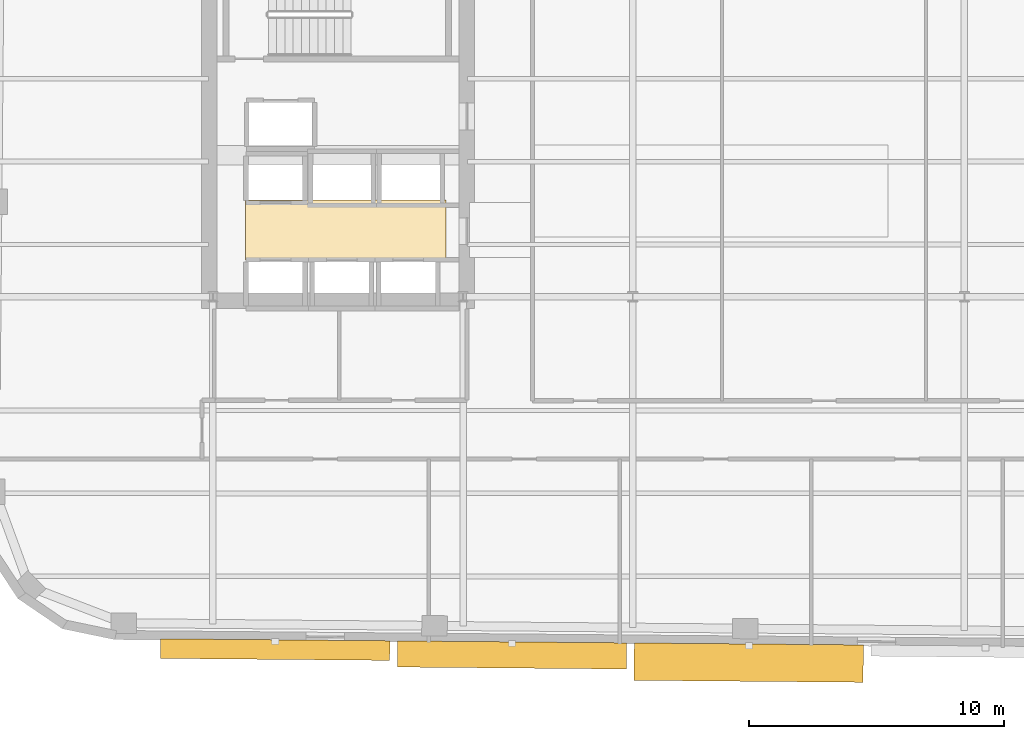
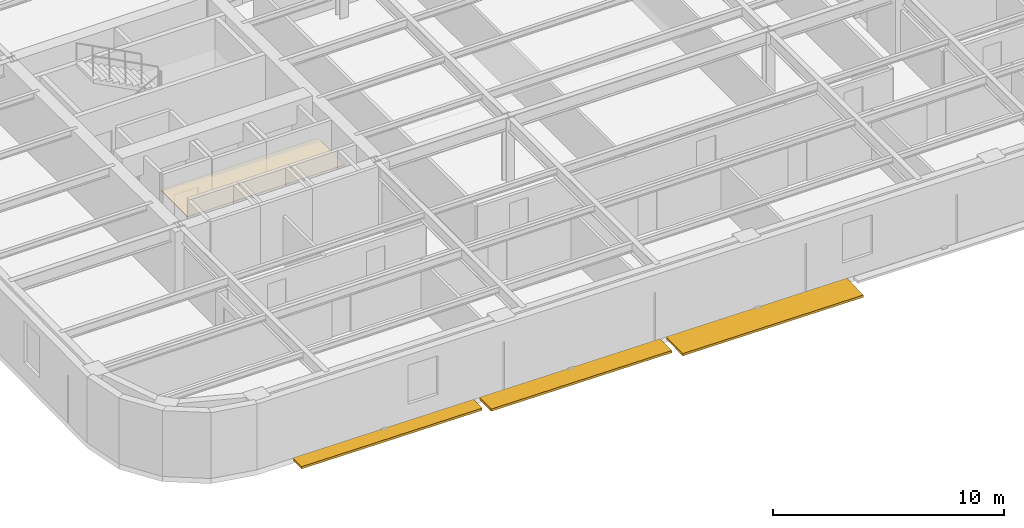
# One storey, part 8 of 11: 3 shading devices, 1 covering.
"""IFC4 building model written with IfcOpenShell, lengths in metres."""

from ifc_helpers import new_model, si_unit, direction, frame, origin, origin_2d, place, context, subcontext, project, spatial, polyline, rectangle, outline, extrude, material, layer, layer_set, type_object, element, save


model = new_model("IFC4")

# Units and contexts
model_context = context("Model", 3, precision=1e-05, world=origin(), true_north=direction((0.0, 1.0)))
body_context = subcontext(model_context, "Body", "Model", "MODEL_VIEW")
ifc_project = project(units=[si_unit("LENGTHUNIT", "METRE"), si_unit("AREAUNIT", "SQUARE_METRE"), si_unit("VOLUMEUNIT", "CUBIC_METRE"), si_unit("PLANEANGLEUNIT", "RADIAN"), si_unit("MASSUNIT", "GRAM", prefix="KILO")], contexts=[model_context])

# Site, building, storey
site_placement = place(None, origin())
site = spatial("IfcSite", under=ifc_project, at=site_placement, CompositionType="ELEMENT")
building_placement = place(site_placement, origin())
building = spatial("IfcBuilding", under=site, at=building_placement, Name="Kolvaren Arena Tower", CompositionType="ELEMENT")
storey_placement = place(building_placement, frame((0.0, 0.0, 195.949951171875)))
storey = spatial("IfcBuildingStorey", under=building, at=storey_placement, Name="L47", CompositionType="ELEMENT", Elevation=195.949951171875)

# Covering
ifc_material_1 = material(Name="Moisture-resistant gypsum ceiling", Category="gypsum")
ifc_layer = layer(ifc_material_1, 0.030029296875)
ifc_layer_set = layer_set([ifc_layer], Name="Moisture-resistant gypsum ceiling")
covering_type = type_object("IfcCoveringType", Name="CEIL-GYP-1", PredefinedType="CEILING", material=ifc_layer_set)
covering_placement = place(storey_placement, frame((0.0, 0.0, 2.52001953125)))
element("IfcCovering", 1, at=covering_placement, inside=storey, type_object=covering_type, Name="Suspended Ceiling (L47)", PredefinedType="CEILING", context=body_context, shape_type="SweptSolid", body=[
    extrude(outline(polyline([(15.820068359375, 20.89990234375), (15.820068359375, 23.239990234375), (23.679931640625, 23.239990234375), (23.679931640625, 20.89990234375), (15.820068359375, 20.89990234375)])), origin(), (0.0, 0.0, 1.0), 0.030029296875),
])

# Shading devices
ifc_material_2 = material(Name="Architectural precast GFRC and anodised aluminium sunshade", Category="concrete")
shading_device_type_1 = type_object("IfcShadingDeviceType", Name="SHAD-SINE-A", PredefinedType="USERDEFINED", material=ifc_material_2)
shading_device_1_placement = place(storey_placement, frame((26.267333984375, 5.417236328125, -0.139892578125), z_axis=(0.0, 0.0, 1.0), x_axis=(-0.999961923064, 0.008726535498, 0.0)))
element("IfcShadingDevice", 2, at=shading_device_1_placement, inside=storey, type_object=shading_device_type_1, Name="Sinusoidal Slab-Edge Sunshade Louvre (L47)", ObjectType="LOUVRE", PredefinedType="USERDEFINED", context=body_context, shape_type="SweptSolid", body=[
    extrude(rectangle(XDim=8.97998046875, YDim=1.026611328125, at=origin_2d()), origin(), (0.0, 0.0, 1.0), 0.1201171875),
])
shading_device_2_placement = place(storey_placement, frame((16.98876953125, 5.627197265625, -0.139892578125), z_axis=(0.0, 0.0, 1.0), x_axis=(-0.999961923064, 0.008726535498, 0.0)))
element("IfcShadingDevice", 3, at=shading_device_2_placement, inside=storey, type_object=shading_device_type_1, Name="Sinusoidal Slab-Edge Sunshade Louvre (L47)", ObjectType="LOUVRE", PredefinedType="USERDEFINED", context=body_context, shape_type="SweptSolid", body=[
    extrude(rectangle(XDim=8.97998046875, YDim=0.768798828125, at=origin_2d()), origin(), (0.0, 0.0, 1.0), 0.1201171875),
])
shading_device_type_2 = type_object("IfcShadingDeviceType", Name="SHAD-SINE-B", PredefinedType="JALOUSIE", material=ifc_material_2)
shading_device_3_placement = place(storey_placement, frame((35.545166015625, 5.11669921875, -0.139892578125), z_axis=(0.0, 0.0, 1.0), x_axis=(-0.999961923064, 0.008726535498, 0.0)))
element("IfcShadingDevice", 4, at=shading_device_3_placement, inside=storey, type_object=shading_device_type_2, Name="Sinusoidal Slab-Edge Sunshade Louvre (L47)", PredefinedType="JALOUSIE", context=body_context, shape_type="SweptSolid", body=[
    extrude(rectangle(XDim=8.97998046875, YDim=1.4658203125, at=origin_2d()), origin(), (0.0, 0.0, 1.0), 0.1201171875),
])

save(model, "model.ifc")
